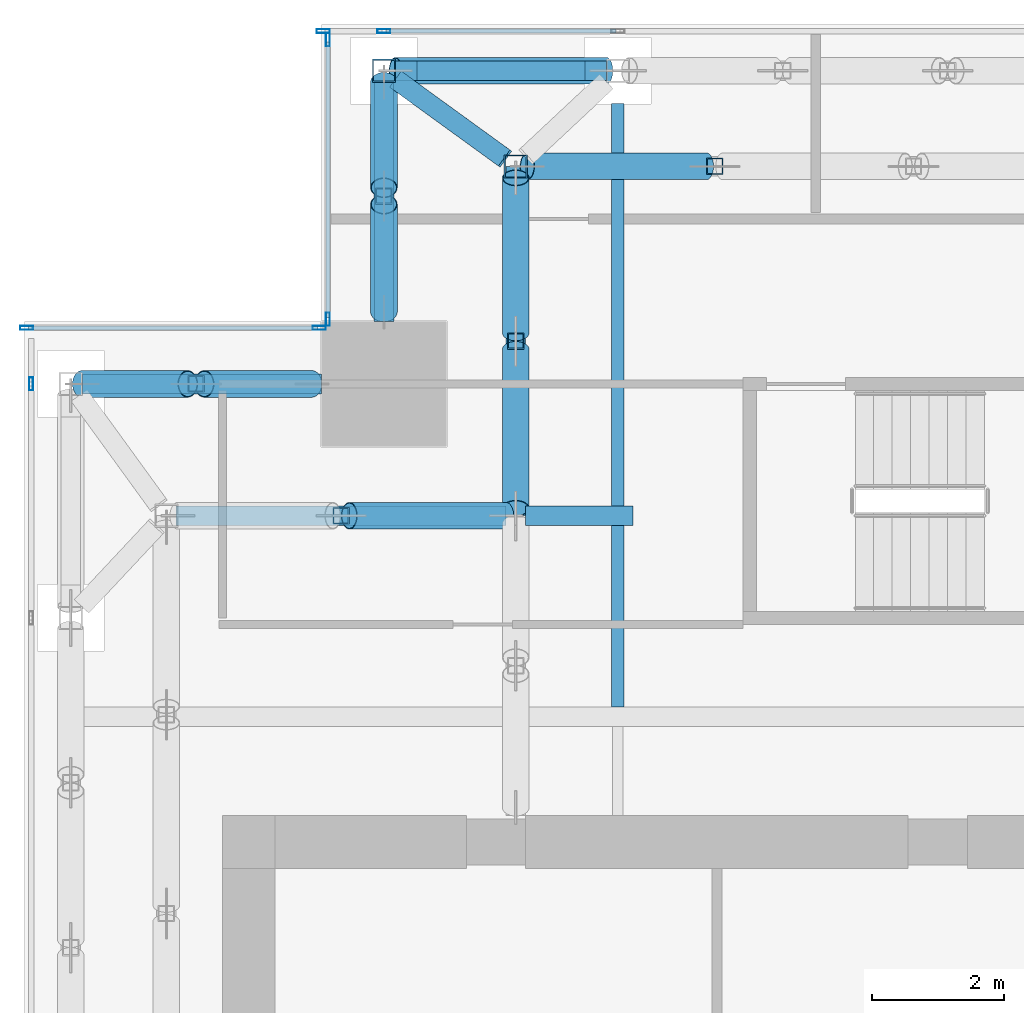
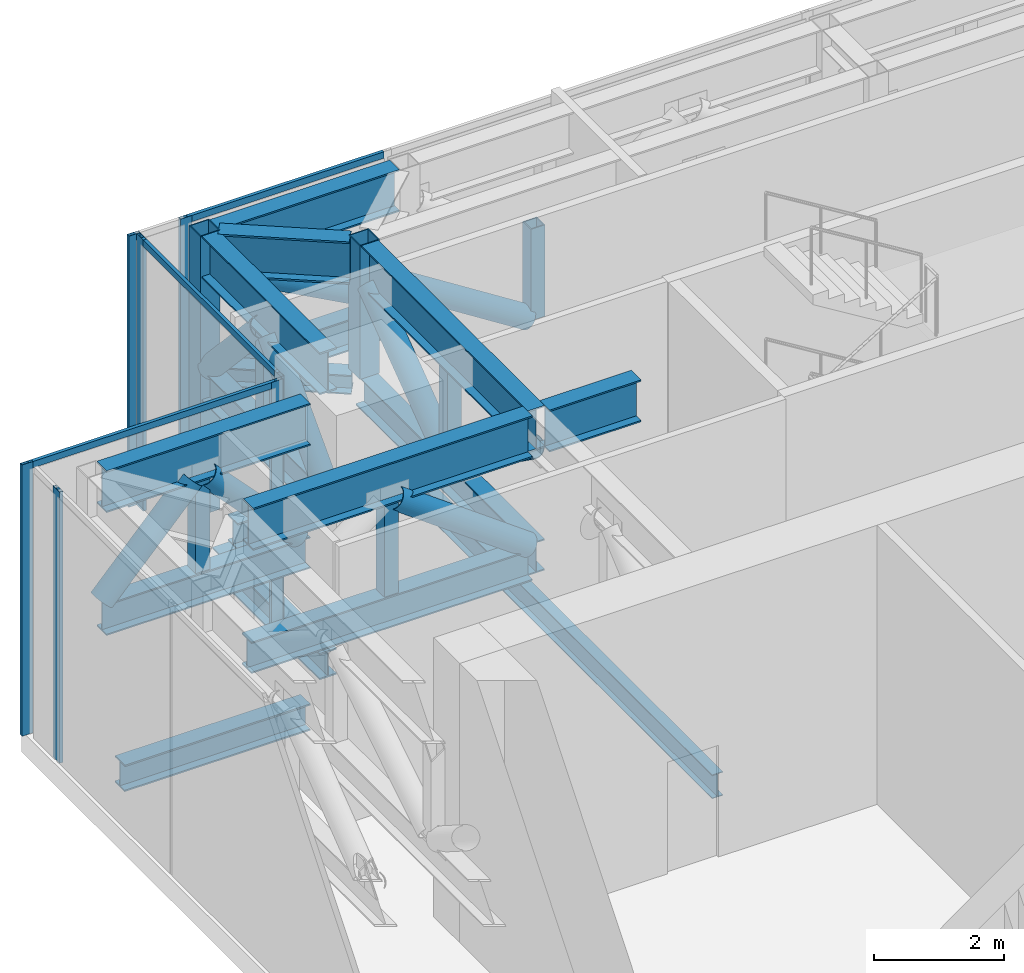
# One storey, part 19 of 36: 37 members, 6 beams, 4 elements without a shape of their own.
"""IFC4 building model written with IfcOpenShell, lengths in metres."""

from ifc_helpers import new_model, si_unit, direction, frame, origin, origin_2d, place, context, subcontext, project, spatial, hollow_rectangle, hollow_circle, i_section, extrude, source, transform, mapped, material, material_profile, profile_set, type_object, element, aggregate, save


model = new_model("IFC4")

# Units and contexts
model_context = context("Model", 3, precision=1e-05, world=origin(), true_north=direction((0.0, 1.0)))
body_context = subcontext(model_context, "Body", "Model", "MODEL_VIEW")
ifc_project = project(units=[si_unit("LENGTHUNIT", "METRE"), si_unit("AREAUNIT", "SQUARE_METRE"), si_unit("VOLUMEUNIT", "CUBIC_METRE"), si_unit("PLANEANGLEUNIT", "RADIAN"), si_unit("MASSUNIT", "GRAM", prefix="KILO")], contexts=[model_context])

# Site, building, storey
site_placement = place(None, origin())
site = spatial("IfcSite", under=ifc_project, at=site_placement, CompositionType="ELEMENT")
building_placement = place(site_placement, origin())
building = spatial("IfcBuilding", under=site, at=building_placement, Name="Khomas Fold Tower", CompositionType="ELEMENT")
storey_placement = place(building_placement, frame((0.0, 0.0, 216.699951171875)))
storey = spatial("IfcBuildingStorey", under=building, at=storey_placement, Name="L48", CompositionType="ELEMENT", Elevation=216.699951171875)

# Beams
ifc_material_1 = material(Name="Steel S355", Category="steel")
ifc_material_profile_1 = material_profile(ifc_material_1, i_section(OverallWidth=0.300048828125, OverallDepth=0.5, WebThickness=0.014404296875, FlangeThickness=0.028076171875, at=origin_2d()), Name="HE 500 B")
ifc_profile_set_1 = profile_set([ifc_material_profile_1], Name="Steel S355")
beam_type_1 = type_object("IfcBeamType", Name="HE 500 B spandrel SB3", PredefinedType="SPANDREL", material=ifc_profile_set_1)
shared_shape_1 = source(origin(), body_context, "Body", "SweptSolid", [
    extrude(i_section(OverallWidth=0.300048828125, OverallDepth=0.5, WebThickness=0.014404296875, FlangeThickness=0.028076171875, at=origin_2d()), origin(), (0.0, 0.0, 1.0), 2.550048828125),
])
beam_1_placement = place(storey_placement, frame((8.949951171875, 50.300048828125, -0.64990234375), z_axis=(1.0, 0.0, 0.0), x_axis=(0.0, 1.0, 0.0)))
element("IfcBeam", 1, at=beam_1_placement, inside=storey, type_object=beam_type_1, Name="SB3", PredefinedType="SPANDREL", context=body_context, shape_type="MappedRepresentation", body=[
    mapped(shared_shape_1, transform((0.0, 0.0, 0.0))),
])
shared_shape_2 = source(origin(), body_context, "Body", "SweptSolid", [
    extrude(i_section(OverallWidth=0.300048828125, OverallDepth=0.5, WebThickness=0.014404296875, FlangeThickness=0.028076171875, at=origin_2d()), origin(), (0.0, 0.0, 1.0), 3.300048828125),
])
for number, where, z_axis, x_axis, name in (
    (2, (8.449951171875, 46.5, -0.64990234375), (0.0, 1.0, 0.0), (-1.0, 0.0, 0.0), "SB3"),
    (3, (4.199951171875, 45.550048828125, -0.64990234375), (1.0, 0.0, 0.0), (0.0, 1.0, 0.0), "SB3"),
):
    element("IfcBeam", number, at=place(storey_placement, frame(where, z_axis=z_axis, x_axis=x_axis)), inside=storey, type_object=beam_type_1, Name=name, PredefinedType="SPANDREL", context=body_context, shape_type="MappedRepresentation", body=[
        mapped(shared_shape_2, transform((0.0, 0.0, 0.0))),
    ])
ifc_material_2 = material(Name="Steel S355", Category="steel")
ifc_material_profile_2 = material_profile(ifc_material_2, i_section(OverallWidth=0.18994140625, OverallDepth=0.449951171875, WebThickness=0.009521484375, FlangeThickness=0.0146484375, at=origin_2d()), Name="IPE 450")
ifc_profile_set_2 = profile_set([ifc_material_profile_2], Name="Steel S355")
beam_type_2 = type_object("IfcBeamType", Name="IPE 450 beam JB4", PredefinedType="BEAM", material=ifc_profile_set_2)
shared_shape_3 = source(origin(), body_context, "Body", "SweptSolid", [
    extrude(i_section(OverallWidth=0.18994140625, OverallDepth=0.449951171875, WebThickness=0.009521484375, FlangeThickness=0.0146484375, at=origin_2d()), origin(), (0.0, 0.0, 1.0), 9.150146484375),
])
beam_2_placement = place(storey_placement, frame((12.0, 40.64990234375, -0.625), z_axis=(0.0, 1.0, 0.0), x_axis=(-1.0, 0.0, 0.0)))
element("IfcBeam", 4, at=beam_2_placement, inside=storey, type_object=beam_type_2, Name="JB4", PredefinedType="BEAM", context=body_context, shape_type="MappedRepresentation", body=[
    mapped(shared_shape_3, transform((0.0, 0.0, 0.0))),
])

# Members
ifc_material_3 = material(Name="Steel S355", Category="steel")
ifc_material_profile_3 = material_profile(ifc_material_3, i_section(OverallWidth=0.300048828125, OverallDepth=0.7900390625, WebThickness=0.014892578125, FlangeThickness=0.028076171875, at=origin_2d()), Name="HE 800 A")
ifc_profile_set_3 = profile_set([ifc_material_profile_3], Name="Steel S355")
member_type_1 = type_object("IfcMemberType", Name="BELT TRUSS 3 TOP CHORD SHORT HE 800 A", PredefinedType="CHORD", material=ifc_profile_set_3)
shared_shape_4 = source(origin(), body_context, "Body", "SweptSolid", [
    extrude(i_section(OverallWidth=0.300048828125, OverallDepth=0.7900390625, WebThickness=0.014892578125, FlangeThickness=0.028076171875, at=origin_2d()), origin(), (0.0, 0.0, 1.0), 3.199951171875),
])
member_1_placement = place(storey_placement, frame((11.824951171875, 50.300048828125, 4.85498046875), z_axis=(-1.0, 0.0, 0.0), x_axis=(0.0, -1.0, 0.0)))
element("IfcMember", 5, at=member_1_placement, inside=storey, type_object=member_type_1, Name="BT3-CTS", PredefinedType="CHORD", context=body_context, shape_type="MappedRepresentation", body=[
    mapped(shared_shape_4, transform((0.0, 0.0, 0.0))),
])
ifc_material_4 = material(Name="Steel S355", Category="steel")
ifc_material_profile_4 = material_profile(ifc_material_4, i_section(OverallWidth=0.300048828125, OverallDepth=0.590087890625, WebThickness=0.012939453125, FlangeThickness=0.02490234375, at=origin_2d()), Name="HE 600 A")
ifc_profile_set_4 = profile_set([ifc_material_profile_4], Name="Steel S355")
member_type_2 = type_object("IfcMemberType", Name="BELT TRUSS 3 BOTTOM CHORD SHORT HE 600 A", PredefinedType="CHORD", material=ifc_profile_set_4)
shared_shape_5 = source(origin(), body_context, "Body", "SweptSolid", [
    extrude(i_section(OverallWidth=0.300048828125, OverallDepth=0.590087890625, WebThickness=0.012939453125, FlangeThickness=0.02490234375, at=origin_2d()), origin(), (0.0, 0.0, 1.0), 3.199951171875),
])
member_2_placement = place(storey_placement, frame((11.824951171875, 50.300048828125, 2.445068359375), z_axis=(-1.0, 0.0, 0.0), x_axis=(0.0, -1.0, 0.0)))
element("IfcMember", 6, at=member_2_placement, inside=storey, type_object=member_type_2, Name="BT3-CBS", PredefinedType="CHORD", context=body_context, shape_type="MappedRepresentation", body=[
    mapped(shared_shape_5, transform((0.0, 0.0, 0.0))),
])
ifc_material_5 = material(Name="Steel S355", Category="steel")
ifc_material_profile_5 = material_profile(ifc_material_5, hollow_circle(Radius=0.203125, WallThickness=0.012451171875, at=origin_2d()), Name="CHS 406.4x12.5")
ifc_profile_set_5 = profile_set([ifc_material_profile_5], Name="Steel S355")
member_type_3 = type_object("IfcMemberType", Name="BELT TRUSS 3 DIAGONAL LONG CHS 406.4x12.5", PredefinedType="BRACE", material=ifc_profile_set_5)
shared_shape_6 = source(origin(), body_context, "Body", "SweptSolid", [
    extrude(hollow_circle(Radius=0.203125, WallThickness=0.012451171875, at=origin_2d()), origin(), (0.0, 0.0, 1.0), 3.6376953125),
])
member_3_placement = place(storey_placement, frame((11.824951171875, 50.300048828125, 2.735107421875), z_axis=(-0.879674642469, 0.0, 0.475575991191), x_axis=(0.0, -1.0, 0.0)))
element("IfcMember", 7, at=member_3_placement, inside=storey, type_object=member_type_3, Name="BT3-DL", PredefinedType="BRACE", context=body_context, shape_type="MappedRepresentation", body=[
    mapped(shared_shape_6, transform((0.0, 0.0, 0.0))),
])
ifc_material_6 = material(Name="Steel S355", Category="steel")
ifc_material_profile_6 = material_profile(ifc_material_6, hollow_rectangle(XDim=0.25, YDim=0.25, WallThickness=0.01611328125, at=origin_2d()), Name="SHS 250x250x16")
ifc_profile_set_6 = profile_set([ifc_material_profile_6], Name="Steel S355")
member_type_4 = type_object("IfcMemberType", Name="BELT TRUSS 3 MID POST SHS 250x250x16", PredefinedType="POST", material=ifc_profile_set_6)
shared_shape_7 = source(origin(), body_context, "Body", "SweptSolid", [
    extrude(hollow_rectangle(XDim=0.25, YDim=0.25, WallThickness=0.01611328125, at=origin_2d()), origin(), (0.0, 0.0, 1.0), 1.719970703125),
])
for number, where, z_axis, x_axis, name in (
    (8, (8.449951171875, 48.39990234375, 2.739990234375), (0.0, 0.0, 1.0), (1.0, 0.0, 0.0), "BT3-M"),
    (9, (5.60009765625, 45.550048828125, 2.739990234375), (0.0, 0.0, 1.0), (1.0, 0.0, 0.0), "BT3-M"),
    (10, (13.466552734375, 48.85009765625, 2.739990234375), (0.0, 0.0, 1.0), (1.0, 0.0, 0.0), "BT3-M"),
    (11, (10.449951171875, 46.199951171875, 2.739990234375), (0.0, 0.0, 1.0), (1.0, 0.0, 0.0), "BT3-M"),
    (12, (7.800048828125, 43.550048828125, 2.739990234375), (0.0, 0.0, 1.0), (1.0, 0.0, 0.0), "BT3-M"),
):
    element("IfcMember", number, at=place(storey_placement, frame(where, z_axis=z_axis, x_axis=x_axis)), inside=storey, type_object=member_type_4, Name=name, PredefinedType="POST", context=body_context, shape_type="MappedRepresentation", body=[
        mapped(shared_shape_7, transform((0.0, 0.0, 0.0))),
    ])
shared_shape_8 = source(origin(), body_context, "Body", "SweptSolid", [
    extrude(i_section(OverallWidth=0.300048828125, OverallDepth=0.7900390625, WebThickness=0.014892578125, FlangeThickness=0.028076171875, at=origin_2d()), origin(), (0.0, 0.0, 1.0), 3.625),
])
for number, where, z_axis, x_axis, name in (
    (13, (8.449951171875, 50.125, 4.85498046875), (0.0, -1.0, 0.0), (1.0, 0.0, 0.0), "BT3-CTS"),
    (14, (3.875, 45.550048828125, 4.85498046875), (1.0, 0.0, 0.0), (0.0, 1.0, 0.0), "BT3-CTS"),
):
    element("IfcMember", number, at=place(storey_placement, frame(where, z_axis=z_axis, x_axis=x_axis)), inside=storey, type_object=member_type_1, Name=name, PredefinedType="CHORD", context=body_context, shape_type="MappedRepresentation", body=[
        mapped(shared_shape_8, transform((0.0, 0.0, 0.0))),
    ])
shared_shape_9 = source(origin(), body_context, "Body", "SweptSolid", [
    extrude(i_section(OverallWidth=0.300048828125, OverallDepth=0.590087890625, WebThickness=0.012939453125, FlangeThickness=0.02490234375, at=origin_2d()), origin(), (0.0, 0.0, 1.0), 3.625),
])
for number, where, z_axis, x_axis, name in (
    (15, (8.449951171875, 50.125, 2.445068359375), (0.0, -1.0, 0.0), (1.0, 0.0, 0.0), "BT3-CBS"),
    (16, (3.875, 45.550048828125, 2.445068359375), (1.0, 0.0, 0.0), (0.0, 1.0, 0.0), "BT3-CBS"),
):
    element("IfcMember", number, at=place(storey_placement, frame(where, z_axis=z_axis, x_axis=x_axis)), inside=storey, type_object=member_type_2, Name=name, PredefinedType="CHORD", context=body_context, shape_type="MappedRepresentation", body=[
        mapped(shared_shape_9, transform((0.0, 0.0, 0.0))),
    ])
ifc_material_7 = material(Name="Steel S355", Category="steel")
ifc_material_profile_7 = material_profile(ifc_material_7, hollow_circle(Radius=0.203125, WallThickness=0.012451171875, at=origin_2d()), Name="CHS 406.4x12.5")
ifc_profile_set_7 = profile_set([ifc_material_profile_7], Name="Steel S355")
member_type_5 = type_object("IfcMemberType", Name="BELT TRUSS 3 DIAGONAL CHS 406.4x12.5", PredefinedType="BRACE", material=ifc_profile_set_7)
shared_shape_10 = source(origin(), body_context, "Body", "SweptSolid", [
    extrude(hollow_circle(Radius=0.203125, WallThickness=0.012451171875, at=origin_2d()), origin(), (0.0, 0.0, 1.0), 2.3564453125),
])
for number, where, z_axis, x_axis, name in (
    (17, (8.449951171875, 50.125, 2.735107421875), (0.0, -0.679011273625, 0.734127843288), (1.0, 0.0, 0.0), "BT3-D"),
    (18, (3.875, 45.550048828125, 2.735107421875), (0.679011273625, 0.0, 0.734127843288), (0.0, 1.0, 0.0), "BT3-D"),
):
    element("IfcMember", number, at=place(storey_placement, frame(where, z_axis=z_axis, x_axis=x_axis)), inside=storey, type_object=member_type_5, Name=name, PredefinedType="BRACE", context=body_context, shape_type="MappedRepresentation", body=[
        mapped(shared_shape_10, transform((0.0, 0.0, 0.0))),
    ])
shared_shape_11 = source(origin(), body_context, "Body", "SweptSolid", [
    extrude(hollow_circle(Radius=0.203125, WallThickness=0.012451171875, at=origin_2d()), origin(), (0.0, 0.0, 1.0), 2.37939453125),
])
for number, where, z_axis, x_axis, name in (
    (19, (8.449951171875, 48.27490234375, 4.465087890625), (0.0, -0.686551218431, -0.727081442804), (1.0, 0.0, 0.0), "BT3-D"),
    (20, (5.72509765625, 45.550048828125, 4.465087890625), (0.686551218431, 0.0, -0.727081442804), (0.0, 1.0, 0.0), "BT3-D"),
):
    element("IfcMember", number, at=place(storey_placement, frame(where, z_axis=z_axis, x_axis=x_axis)), inside=storey, type_object=member_type_5, Name=name, PredefinedType="BRACE", context=body_context, shape_type="MappedRepresentation", body=[
        mapped(shared_shape_11, transform((0.0, 0.0, 0.0))),
    ])
shared_shape_12 = source(origin(), body_context, "Body", "SweptSolid", [
    extrude(hollow_circle(Radius=0.203125, WallThickness=0.012451171875, at=origin_2d()), origin(), (0.0, 0.0, 1.0), 3.220703125),
])
member_4_placement = place(storey_placement, frame((13.341552734375, 48.85009765625, 2.735107421875), z_axis=(-0.843483522339, 0.0, 0.537155049815), x_axis=(0.0, -1.0, 0.0)))
element("IfcMember", 21, at=member_4_placement, inside=storey, type_object=member_type_5, Name="BT3-D", PredefinedType="BRACE", context=body_context, shape_type="MappedRepresentation", body=[
    mapped(shared_shape_12, transform((0.0, 0.0, 0.0))),
])
ifc_material_8 = material(Name="Steel S355", Category="steel")
ifc_material_profile_8 = material_profile(ifc_material_8, i_section(OverallWidth=0.300048828125, OverallDepth=0.7900390625, WebThickness=0.014892578125, FlangeThickness=0.028076171875, at=origin_2d()), Name="HE 800 A")
ifc_profile_set_8 = profile_set([ifc_material_profile_8], Name="Steel S355")
member_type_6 = type_object("IfcMemberType", Name="BELT TRUSS 3 TOP CHORD HE 800 A", PredefinedType="CHORD", material=ifc_profile_set_8)
shared_shape_13 = source(origin(), body_context, "Body", "SweptSolid", [
    extrude(i_section(OverallWidth=0.300048828125, OverallDepth=0.7900390625, WebThickness=0.014892578125, FlangeThickness=0.028076171875, at=origin_2d()), origin(), (0.0, 0.0, 1.0), 5.125),
])
member_5_placement = place(storey_placement, frame((10.449951171875, 48.675048828125, 4.85498046875), z_axis=(0.0, -1.0, 0.0), x_axis=(1.0, 0.0, 0.0)))
element("IfcMember", 22, at=member_5_placement, inside=storey, type_object=member_type_6, Name="BT3-CT", PredefinedType="CHORD", context=body_context, shape_type="MappedRepresentation", body=[
    mapped(shared_shape_13, transform((0.0, 0.0, 0.0))),
])
ifc_material_9 = material(Name="Steel S355", Category="steel")
ifc_material_profile_9 = material_profile(ifc_material_9, i_section(OverallWidth=0.300048828125, OverallDepth=0.590087890625, WebThickness=0.012939453125, FlangeThickness=0.02490234375, at=origin_2d()), Name="HE 600 A")
ifc_profile_set_9 = profile_set([ifc_material_profile_9], Name="Steel S355")
member_type_7 = type_object("IfcMemberType", Name="BELT TRUSS 3 BOTTOM CHORD HE 600 A", PredefinedType="CHORD", material=ifc_profile_set_9)
shared_shape_14 = source(origin(), body_context, "Body", "SweptSolid", [
    extrude(i_section(OverallWidth=0.300048828125, OverallDepth=0.590087890625, WebThickness=0.012939453125, FlangeThickness=0.02490234375, at=origin_2d()), origin(), (0.0, 0.0, 1.0), 5.300048828125),
])
member_6_placement = place(storey_placement, frame((10.449951171875, 48.85009765625, 2.445068359375), z_axis=(0.0, -1.0, 0.0), x_axis=(1.0, 0.0, 0.0)))
element("IfcMember", 23, at=member_6_placement, inside=storey, type_object=member_type_7, Name="BT3-CB", PredefinedType="CHORD", context=body_context, shape_type="MappedRepresentation", body=[
    mapped(shared_shape_14, transform((0.0, 0.0, 0.0))),
])
shared_shape_15 = source(origin(), body_context, "Body", "SweptSolid", [
    extrude(hollow_circle(Radius=0.203125, WallThickness=0.012451171875, at=origin_2d()), origin(), (0.0, 0.0, 1.0), 2.918212890625),
])
member_7_placement = place(storey_placement, frame((10.449951171875, 48.675048828125, 4.465087890625), z_axis=(0.0, -0.805329117391, -0.592827978998), x_axis=(1.0, 0.0, 0.0)))
element("IfcMember", 24, at=member_7_placement, inside=storey, type_object=member_type_5, Name="BT3-D", PredefinedType="BRACE", context=body_context, shape_type="MappedRepresentation", body=[
    mapped(shared_shape_15, transform((0.0, 0.0, 0.0))),
])
shared_shape_16 = source(origin(), body_context, "Body", "SweptSolid", [
    extrude(hollow_circle(Radius=0.203125, WallThickness=0.012451171875, at=origin_2d()), origin(), (0.0, 0.0, 1.0), 2.967041015625),
])
member_8_placement = place(storey_placement, frame((10.449951171875, 46.074951171875, 2.735107421875), z_axis=(0.0, -0.812441658895, 0.583042494929), x_axis=(1.0, 0.0, 0.0)))
element("IfcMember", 25, at=member_8_placement, inside=storey, type_object=member_type_5, Name="BT3-D", PredefinedType="BRACE", context=body_context, shape_type="MappedRepresentation", body=[
    mapped(shared_shape_16, transform((0.0, 0.0, 0.0))),
])
shared_shape_17 = source(origin(), body_context, "Body", "SweptSolid", [
    extrude(i_section(OverallWidth=0.300048828125, OverallDepth=0.7900390625, WebThickness=0.014892578125, FlangeThickness=0.028076171875, at=origin_2d()), origin(), (0.0, 0.0, 1.0), 4.97509765625),
])
member_9_placement = place(storey_placement, frame((5.324951171875, 43.550048828125, 4.85498046875), z_axis=(1.0, 0.0, 0.0), x_axis=(0.0, 1.0, 0.0)))
element("IfcMember", 26, at=member_9_placement, inside=storey, type_object=member_type_6, Name="BT3-CT", PredefinedType="CHORD", context=body_context, shape_type="MappedRepresentation", body=[
    mapped(shared_shape_17, transform((0.0, 0.0, 0.0))),
])
shared_shape_18 = source(origin(), body_context, "Body", "SweptSolid", [
    extrude(i_section(OverallWidth=0.300048828125, OverallDepth=0.590087890625, WebThickness=0.012939453125, FlangeThickness=0.02490234375, at=origin_2d()), origin(), (0.0, 0.0, 1.0), 5.0),
])
member_10_placement = place(storey_placement, frame((5.300048828125, 43.550048828125, 2.445068359375), z_axis=(1.0, 0.0, 0.0), x_axis=(0.0, 1.0, 0.0)))
element("IfcMember", 27, at=member_10_placement, inside=storey, type_object=member_type_7, Name="BT3-CB", PredefinedType="CHORD", context=body_context, shape_type="MappedRepresentation", body=[
    mapped(shared_shape_18, transform((0.0, 0.0, 0.0))),
])
shared_shape_19 = source(origin(), body_context, "Body", "SweptSolid", [
    extrude(hollow_circle(Radius=0.203125, WallThickness=0.012451171875, at=origin_2d()), origin(), (0.0, 0.0, 1.0), 2.938232421875),
])
member_11_placement = place(storey_placement, frame((7.925048828125, 43.550048828125, 4.465087890625), z_axis=(0.808297504899, 0.0, -0.588774272174), x_axis=(0.0, 1.0, 0.0)))
element("IfcMember", 28, at=member_11_placement, inside=storey, type_object=member_type_5, Name="BT3-D", PredefinedType="BRACE", context=body_context, shape_type="MappedRepresentation", body=[
    mapped(shared_shape_19, transform((0.0, 0.0, 0.0))),
])
ifc_material_10 = material(Name="Steel S355", Category="steel")
ifc_material_profile_10 = material_profile(ifc_material_10, i_section(OverallWidth=0.300048828125, OverallDepth=0.7900390625, WebThickness=0.014892578125, FlangeThickness=0.028076171875, at=origin_2d()), Name="HE 800 A")
ifc_profile_set_10 = profile_set([ifc_material_profile_10], Name="Steel S355")
member_type_8 = type_object("IfcMemberType", Name="BELT TRUSS 3 TOP CHORD SHORTER HE 800 A", PredefinedType="CHORD", material=ifc_profile_set_10)
shared_shape_20 = source(origin(), body_context, "Body", "SweptSolid", [
    extrude(i_section(OverallWidth=0.300048828125, OverallDepth=0.7900390625, WebThickness=0.014892578125, FlangeThickness=0.028076171875, at=origin_2d()), origin(), (0.0, 0.0, 1.0), 1.6298828125),
])
member_12_placement = place(storey_placement, frame((10.60009765625, 43.550048828125, 4.85498046875), z_axis=(1.0, 0.0, 0.0), x_axis=(0.0, 1.0, 0.0)))
element("IfcMember", 29, at=member_12_placement, inside=storey, type_object=member_type_8, Name="BT3-CTSS", PredefinedType="CHORD", context=body_context, shape_type="MappedRepresentation", body=[
    mapped(shared_shape_20, transform((0.0, 0.0, 0.0))),
])
ifc_material_11 = material(Name="Steel S355", Category="steel")
ifc_material_profile_11 = material_profile(ifc_material_11, hollow_rectangle(XDim=0.35009765625, YDim=0.35009765625, WallThickness=0.01611328125, at=origin_2d()), Name="SHS 350x350x16")
ifc_profile_set_11 = profile_set([ifc_material_profile_11], Name="Steel S355")
member_type_9 = type_object("IfcMemberType", Name="BELT TRUSS 3 COLUMN POST SHS 350x350x16", PredefinedType="POST", material=ifc_profile_set_11)
shared_shape_21 = source(origin(), body_context, "Body", "SweptSolid", [
    extrude(hollow_rectangle(XDim=0.35009765625, YDim=0.35009765625, WallThickness=0.01611328125, at=origin_2d()), origin(), (0.0, 0.0, 1.0), 5.25),
])
member_13_placement = place(storey_placement, frame((8.449951171875, 50.300048828125, 0.0), z_axis=(0.0, 0.0, 1.0), x_axis=(1.0, 0.0, 0.0)))
element("IfcMember", 30, at=member_13_placement, inside=storey, type_object=member_type_9, Name="BT3-P", PredefinedType="POST", context=body_context, shape_type="MappedRepresentation", body=[
    mapped(shared_shape_21, transform((0.0, 0.0, 0.0))),
])
ifc_material_12 = material(Name="Steel S355", Category="steel")
ifc_material_profile_12 = material_profile(ifc_material_12, hollow_rectangle(XDim=0.35009765625, YDim=0.35009765625, WallThickness=0.01611328125, at=origin_2d()), Name="SHS 350x350x16")
ifc_profile_set_12 = profile_set([ifc_material_profile_12], Name="Steel S355")
member_type_10 = type_object("IfcMemberType", Name="BELT TRUSS 3 COLUMN POST SHORT SHS 350x350x16", PredefinedType="POST", material=ifc_profile_set_12)
shared_shape_22 = source(origin(), body_context, "Body", "SweptSolid", [
    extrude(hollow_rectangle(XDim=0.35009765625, YDim=0.35009765625, WallThickness=0.01611328125, at=origin_2d()), origin(), (0.0, 0.0, 1.0), 2.510009765625),
])
member_14_placement = place(storey_placement, frame((10.449951171875, 48.85009765625, 2.739990234375), z_axis=(0.0, 0.0, 1.0), x_axis=(1.0, 0.0, 0.0)))
element("IfcMember", 31, at=member_14_placement, inside=storey, type_object=member_type_10, Name="BT3-PS", PredefinedType="POST", context=body_context, shape_type="MappedRepresentation", body=[
    mapped(shared_shape_22, transform((0.0, 0.0, 0.0))),
])

# Beams
ifc_material_13 = material(Name="Steel S460M", Category="steel")
ifc_material_profile_13 = material_profile(ifc_material_13, i_section(OverallWidth=0.300048828125, OverallDepth=0.800048828125, WebThickness=0.017578125, FlangeThickness=0.032958984375, at=origin_2d()), Name="HE 800 B")
ifc_profile_set_13 = profile_set([ifc_material_profile_13], Name="Steel S460M")
beam_type_3 = type_object("IfcBeamType", Name="BELT TRUSS 3 TOP TRANSFER STRUT HE 800 B", PredefinedType="BEAM", material=ifc_profile_set_13)
shared_shape_23 = source(origin(), body_context, "Body", "SweptSolid", [
    extrude(i_section(OverallWidth=0.300048828125, OverallDepth=0.800048828125, WebThickness=0.017578125, FlangeThickness=0.032958984375, at=origin_2d()), origin(), (0.0, 0.0, 1.0), 2.037841796875),
])
beam_3_placement = place(storey_placement, frame((10.27490234375, 48.976806640625, 4.85009765625), z_axis=(-0.809584824525, 0.58700290621, 0.0), x_axis=(-0.58700290621, -0.809584824525, 0.0)))
element("IfcBeam", 32, at=beam_3_placement, inside=storey, type_object=beam_type_3, Name="BT3-STD", PredefinedType="BEAM", context=body_context, shape_type="MappedRepresentation", body=[
    mapped(shared_shape_23, transform((0.0, 0.0, 0.0))),
])
ifc_material_14 = material(Name="Steel S355", Category="steel")
ifc_material_profile_14 = material_profile(ifc_material_14, i_section(OverallWidth=0.300048828125, OverallDepth=0.360107421875, WebThickness=0.012451171875, FlangeThickness=0.0224609375, at=origin_2d()), Name="HE 360 B")
ifc_profile_set_14 = profile_set([ifc_material_profile_14], Name="Steel S355")
beam_type_4 = type_object("IfcBeamType", Name="BELT TRUSS 3 BOTTOM STRUT LONG HE 360 B", PredefinedType="BEAM", material=ifc_profile_set_14)
shared_shape_24 = source(origin(), body_context, "Body", "SweptSolid", [
    extrude(i_section(OverallWidth=0.300048828125, OverallDepth=0.360107421875, WebThickness=0.012451171875, FlangeThickness=0.0224609375, at=origin_2d()), origin(), (0.0, 0.0, 1.0), 2.06884765625),
])
beam_4_placement = place(storey_placement, frame((10.300048828125, 48.958740234375, 2.56005859375), z_axis=(-0.809623060558, 0.586950168083, 0.0), x_axis=(-0.586950168083, -0.809623060558, 0.0)))
element("IfcBeam", 33, at=beam_4_placement, inside=storey, type_object=beam_type_4, Name="BT3-SBL", PredefinedType="BEAM", context=body_context, shape_type="MappedRepresentation", body=[
    mapped(shared_shape_24, transform((0.0, 0.0, 0.0))),
])

# Curtain wall, members
ifc_material_15 = material(Name="Aluminium framed double glazing", Category="aluminium")
curtain_wall_type = type_object("IfcCurtainWallType", Name="SK-Plant louvre wall CW4", PredefinedType="NOTDEFINED", material=ifc_material_15)
curtain_wall_1_placement = place(storey_placement, origin())
curtain_wall_1 = element("IfcCurtainWall", 34, at=curtain_wall_1_placement, inside=storey, type_object=curtain_wall_type, Name="CW4 run L48 06-0", PredefinedType="NOTDEFINED")
ifc_material_16 = material(Name="Aluminium", Category="aluminium")
ifc_material_profile_15 = material_profile(ifc_material_16, hollow_rectangle(XDim=0.06005859375, YDim=0.199951171875, WallThickness=0.00390625, at=origin_2d()), Name="SK-Plant louvre wall mullion CW4-M")
ifc_profile_set_15 = profile_set([ifc_material_profile_15], Name="Aluminium")
member_type_11 = type_object("IfcMemberType", Name="SK-Plant louvre wall mullion CW4-M", PredefinedType="MULLION", material=ifc_profile_set_15)
shared_shape_25 = source(origin(), body_context, "Body", "SweptSolid", [
    extrude(hollow_rectangle(XDim=0.06005859375, YDim=0.199951171875, WallThickness=0.00390625, at=origin_2d()), origin(), (0.0, 0.0, 1.0), 5.10009765625),
])
member_15_placement = place(storey_placement, frame((8.449951171875, 50.89990234375, 0.0), z_axis=(0.0, 0.0, 1.0), x_axis=(0.0, -1.0, 0.0)))
member_15 = element("IfcMember", 35, at=member_15_placement, type_object=member_type_11, Name="CW4 mullion 6", PredefinedType="MULLION", context=body_context, shape_type="MappedRepresentation", body=[
    mapped(shared_shape_25, transform((0.0, 0.0, 0.0))),
])
member_16_placement = place(storey_placement, frame((7.530029296875, 50.89990234375, 0.0), z_axis=(0.0, 0.0, 1.0), x_axis=(0.0, -1.0, 0.0)))
member_16 = element("IfcMember", 36, at=member_16_placement, type_object=member_type_11, Name="CW4 mullion 7", PredefinedType="MULLION", context=body_context, shape_type="MappedRepresentation", body=[
    mapped(shared_shape_25, transform((0.0, 0.0, 0.0))),
])

curtain_wall_2_placement = place(storey_placement, origin())
curtain_wall_2 = element("IfcCurtainWall", 37, at=curtain_wall_2_placement, inside=storey, type_object=curtain_wall_type, Name="CW4 corner return L48 07", PredefinedType="NOTDEFINED")
member_17_placement = place(storey_placement, frame((7.60009765625, 50.77001953125, 0.0), z_axis=(0.0, 0.0, 1.0), x_axis=(1.0, 0.0, 0.0)))
member_17 = element("IfcMember", 38, at=member_17_placement, type_object=member_type_11, Name="CW4 mullion 1", PredefinedType="MULLION", context=body_context, shape_type="MappedRepresentation", body=[
    mapped(shared_shape_25, transform((0.0, 0.0, 0.0))),
])
member_18_placement = place(storey_placement, frame((7.60009765625, 46.530029296875, 0.0), z_axis=(0.0, 0.0, 1.0), x_axis=(1.0, 0.0, 0.0)))
member_18 = element("IfcMember", 39, at=member_18_placement, type_object=member_type_11, Name="CW4 mullion 2", PredefinedType="MULLION", context=body_context, shape_type="MappedRepresentation", body=[
    mapped(shared_shape_25, transform((0.0, 0.0, 0.0))),
])

curtain_wall_3_placement = place(storey_placement, origin())
curtain_wall_3 = element("IfcCurtainWall", 40, at=curtain_wall_3_placement, inside=storey, type_object=curtain_wall_type, Name="CW4 corner return L48 08", PredefinedType="NOTDEFINED")
member_19_placement = place(storey_placement, frame((7.469970703125, 46.39990234375, 0.0), z_axis=(0.0, 0.0, 1.0), x_axis=(0.0, -1.0, 0.0)))
member_19 = element("IfcMember", 41, at=member_19_placement, type_object=member_type_11, Name="CW4 mullion 1", PredefinedType="MULLION", context=body_context, shape_type="MappedRepresentation", body=[
    mapped(shared_shape_25, transform((0.0, 0.0, 0.0))),
])
member_20_placement = place(storey_placement, frame((3.030029296875, 46.39990234375, 0.0), z_axis=(0.0, 0.0, 1.0), x_axis=(0.0, -1.0, 0.0)))
member_20 = element("IfcMember", 42, at=member_20_placement, type_object=member_type_11, Name="CW4 mullion 2", PredefinedType="MULLION", context=body_context, shape_type="MappedRepresentation", body=[
    mapped(shared_shape_25, transform((0.0, 0.0, 0.0))),
])

# Curtain wall, member
curtain_wall_4_placement = place(storey_placement, origin())
curtain_wall_4 = element("IfcCurtainWall", 43, at=curtain_wall_4_placement, inside=storey, type_object=curtain_wall_type, Name="CW4 run L48 09-0", PredefinedType="NOTDEFINED")
member_21_placement = place(storey_placement, frame((3.10009765625, 45.550048828125, 0.0), z_axis=(0.0, 0.0, 1.0), x_axis=(1.0, 0.0, 0.0)))
member_21 = element("IfcMember", 44, at=member_21_placement, type_object=member_type_11, Name="CW4 mullion 2", PredefinedType="MULLION", context=body_context, shape_type="MappedRepresentation", body=[
    mapped(shared_shape_25, transform((0.0, 0.0, 0.0))),
])
aggregate(curtain_wall_4, [member_21])

# Member
ifc_material_17 = material(Name="Aluminium", Category="aluminium")
ifc_material_profile_16 = material_profile(ifc_material_17, hollow_rectangle(XDim=0.06005859375, YDim=0.1201171875, WallThickness=0.00390625, at=origin_2d()), Name="SK-Plant louvre wall transom CW4-T")
ifc_profile_set_16 = profile_set([ifc_material_profile_16], Name="Aluminium")
member_type_12 = type_object("IfcMemberType", Name="SK-Plant louvre wall transom CW4-T", PredefinedType="USERDEFINED", material=ifc_profile_set_16)
shared_shape_26 = source(origin(), body_context, "Body", "SweptSolid", [
    extrude(hollow_rectangle(XDim=0.06005859375, YDim=0.1201171875, WallThickness=0.00390625, at=origin_2d()), origin(), (0.0, 0.0, 1.0), 3.489990234375),
])
member_22_placement = place(storey_placement, frame((11.969970703125, 50.89990234375, 5.0400390625), z_axis=(-1.0, 0.0, 0.0), x_axis=(0.0, -1.0, 0.0)))
member_22 = element("IfcMember", 45, at=member_22_placement, type_object=member_type_12, Name="CW4 transom 5", ObjectType="TRANSOM", PredefinedType="USERDEFINED", context=body_context, shape_type="MappedRepresentation", body=[
    mapped(shared_shape_26, transform((0.0, 0.0, 0.0))),
])

aggregate(curtain_wall_1, [member_15, member_16, member_22])

shared_shape_27 = source(origin(), body_context, "Body", "SweptSolid", [
    extrude(hollow_rectangle(XDim=0.06005859375, YDim=0.1201171875, WallThickness=0.00390625, at=origin_2d()), origin(), (0.0, 0.0, 1.0), 4.179931640625),
])
member_23_placement = place(storey_placement, frame((7.60009765625, 50.739990234375, 5.0400390625), z_axis=(0.0, -1.0, 0.0), x_axis=(1.0, 0.0, 0.0)))
member_23 = element("IfcMember", 46, at=member_23_placement, type_object=member_type_12, Name="CW4 transom 1", ObjectType="TRANSOM", PredefinedType="USERDEFINED", context=body_context, shape_type="MappedRepresentation", body=[
    mapped(shared_shape_27, transform((0.0, 0.0, 0.0))),
])

aggregate(curtain_wall_2, [member_17, member_18, member_23])

shared_shape_28 = source(origin(), body_context, "Body", "SweptSolid", [
    extrude(hollow_rectangle(XDim=0.06005859375, YDim=0.1201171875, WallThickness=0.00390625, at=origin_2d()), origin(), (0.0, 0.0, 1.0), 4.3798828125),
])
member_24_placement = place(storey_placement, frame((7.43994140625, 46.39990234375, 5.0400390625), z_axis=(-1.0, 0.0, 0.0), x_axis=(0.0, -1.0, 0.0)))
member_24 = element("IfcMember", 47, at=member_24_placement, type_object=member_type_12, Name="CW4 transom 1", ObjectType="TRANSOM", PredefinedType="USERDEFINED", context=body_context, shape_type="MappedRepresentation", body=[
    mapped(shared_shape_28, transform((0.0, 0.0, 0.0))),
])

aggregate(curtain_wall_3, [member_19, member_20, member_24])

save(model, "model.ifc")
